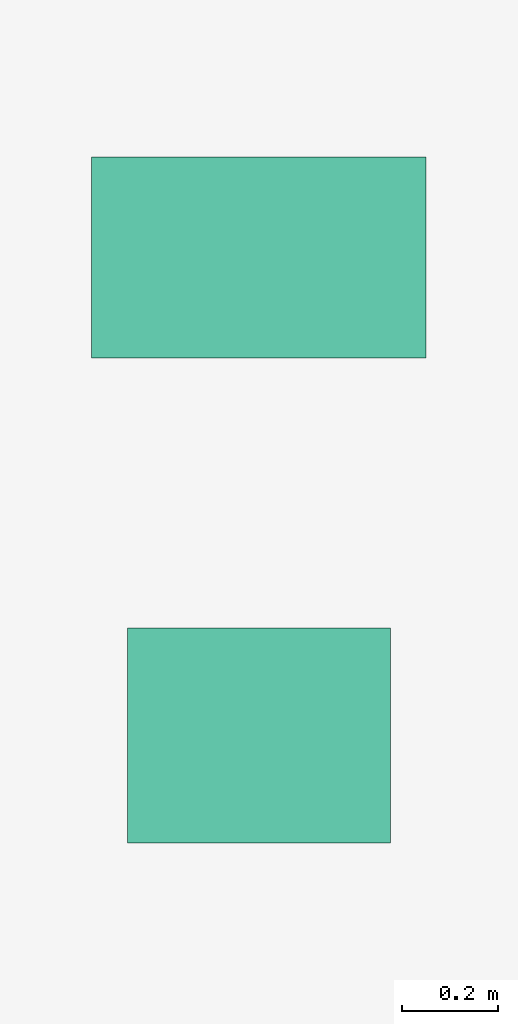
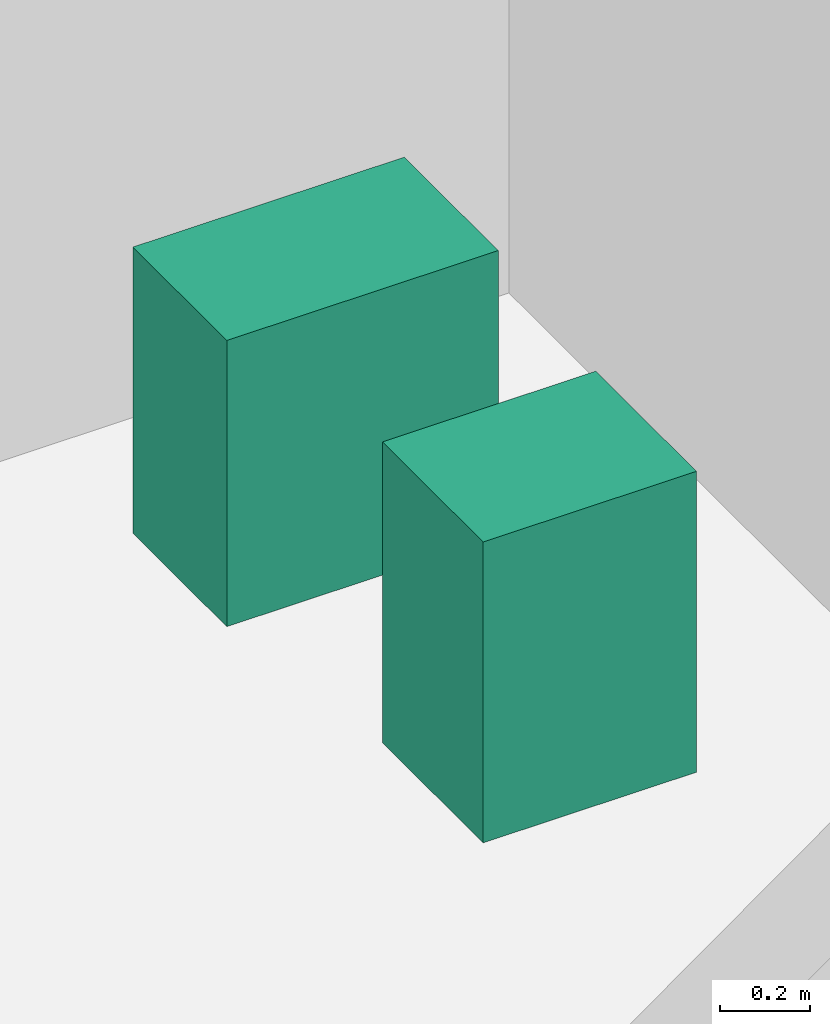
# One storey, part 34 of 34: 2 sanitary terminals.
"""IFC4 building model written with IfcOpenShell, lengths in metres."""

from ifc_helpers import new_model, si_unit, direction, frame, origin, origin_2d, place, context, subcontext, project, spatial, rectangle, extrude, source, transform, mapped, material, type_object, element, save


model = new_model("IFC4")

# Units and contexts
model_context = context("Model", 3, precision=1e-05, world=origin(), true_north=direction((0.0, 1.0)))
body_context = subcontext(model_context, "Body", "Model", "MODEL_VIEW")
ifc_project = project(units=[si_unit("LENGTHUNIT", "METRE"), si_unit("AREAUNIT", "SQUARE_METRE"), si_unit("VOLUMEUNIT", "CUBIC_METRE"), si_unit("PLANEANGLEUNIT", "RADIAN"), si_unit("MASSUNIT", "GRAM", prefix="KILO")], contexts=[model_context])

# Site, building, storey
site_placement = place(None, origin())
site = spatial("IfcSite", under=ifc_project, at=site_placement, CompositionType="ELEMENT")
building_placement = place(site_placement, origin())
building = spatial("IfcBuilding", under=site, at=building_placement, Name="Sumidabori Civic Tower", CompositionType="ELEMENT")
storey_placement = place(building_placement, frame((0.0, 0.0, 41.60009765625)))
storey = spatial("IfcBuildingStorey", under=building, at=storey_placement, Name="L10", CompositionType="ELEMENT", Elevation=41.60009765625)

# Sanitary terminals
ifc_material = material(Name="Vitreous Sanitary Porcelain")
sanitary_terminal_type_1 = type_object("IfcSanitaryTerminalType", Name="SN-WC-1", PredefinedType="TOILETPAN", material=ifc_material)
shared_shape_1 = source(origin(), body_context, "Body", "SweptSolid", [
    extrude(rectangle(XDim=0.699951171875, YDim=0.419921875, at=origin_2d()), origin(), (0.0, 0.0, 1.0), 0.780029296875),
])
sanitary_terminal_1_placement = place(storey_placement, frame((10.800048828125, 21.85009765625, 0.0), z_axis=(0.0, 0.0, 1.0), x_axis=(1.0, 0.0, 0.0)))
element("IfcSanitaryTerminal", 1, at=sanitary_terminal_1_placement, inside=storey, type_object=sanitary_terminal_type_1, Name="Accessible WC Pan L10", PredefinedType="TOILETPAN", context=body_context, shape_type="MappedRepresentation", body=[
    mapped(shared_shape_1, transform((0.0, 0.0, 0.0), x_axis=(1.0, 0.0, 0.0), y_axis=(0.0, 1.0, 0.0), z_axis=(0.0, 0.0, 1.0), scale=1.0)),
])
sanitary_terminal_type_2 = type_object("IfcSanitaryTerminalType", Name="SN-BAS-1", PredefinedType="WASHHANDBASIN", material=ifc_material)
shared_shape_2 = source(origin(), body_context, "Body", "SweptSolid", [
    extrude(rectangle(XDim=0.550048828125, YDim=0.449951171875, at=origin_2d()), origin(), (0.0, 0.0, 1.0), 0.820068359375),
])
sanitary_terminal_2_placement = place(storey_placement, frame((10.800048828125, 20.85009765625, 0.0), z_axis=(0.0, 0.0, 1.0), x_axis=(1.0, 0.0, 0.0)))
element("IfcSanitaryTerminal", 2, at=sanitary_terminal_2_placement, inside=storey, type_object=sanitary_terminal_type_2, Name="Accessible Basin L10", PredefinedType="WASHHANDBASIN", context=body_context, shape_type="MappedRepresentation", body=[
    mapped(shared_shape_2, transform((0.0, 0.0, 0.0), x_axis=(1.0, 0.0, 0.0), y_axis=(0.0, 1.0, 0.0), z_axis=(0.0, 0.0, 1.0), scale=1.0)),
])

save(model, "model.ifc")
